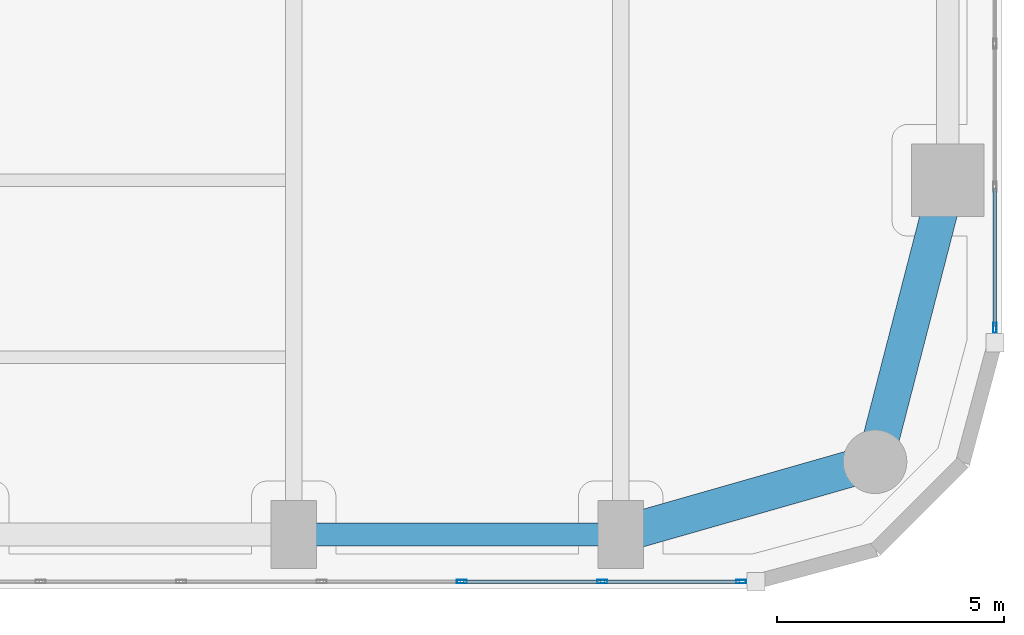
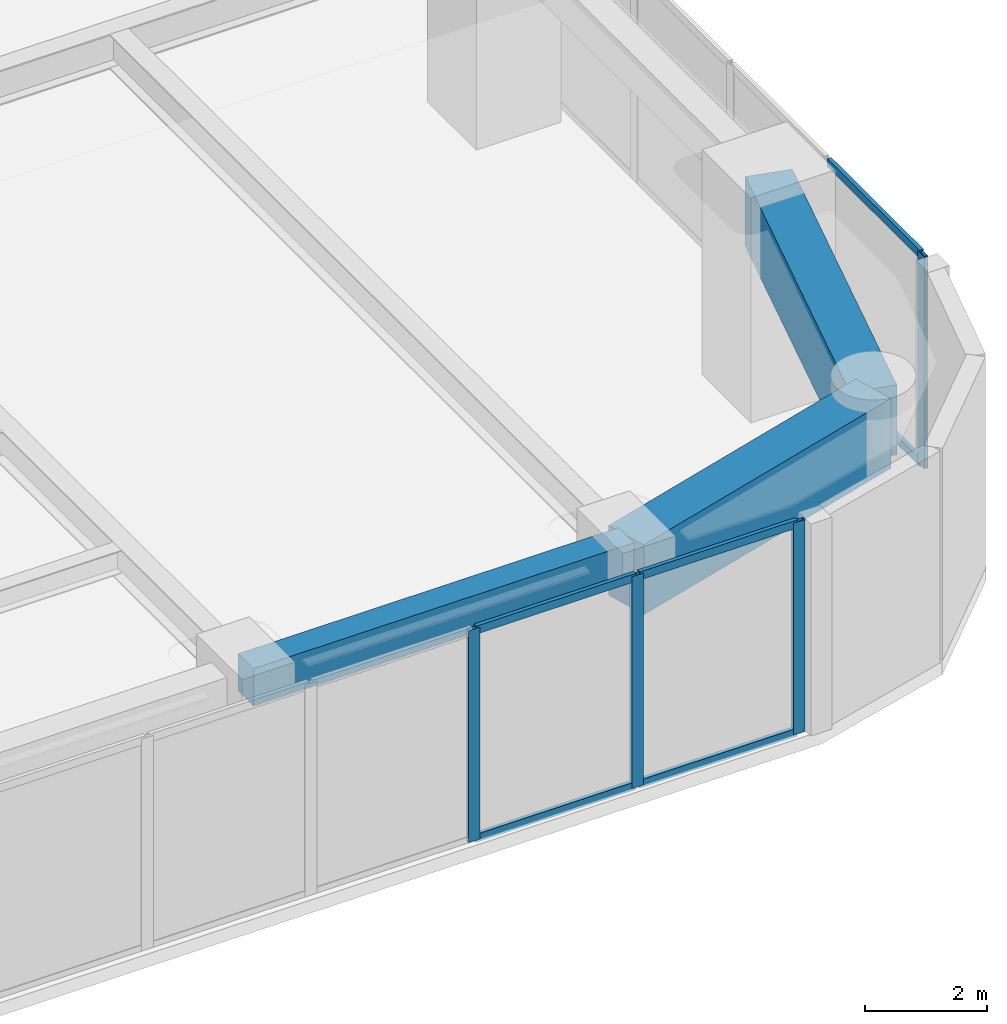
# One storey, part 6 of 25: 10 members, 3 beams, 2 elements without a shape of their own.
"""IFC4 building model written with IfcOpenShell, lengths in metres."""

from ifc_helpers import new_model, si_unit, direction, frame, origin, origin_2d, place, context, subcontext, project, spatial, rectangle, hollow_rectangle, extrude, material, layer, layer_set, material_profile, profile_set, type_object, element, aggregate, save


model = new_model("IFC4")

# Units and contexts
model_context = context("Model", 3, precision=1e-05, world=origin(), true_north=direction((0.0, 1.0)))
body_context = subcontext(model_context, "Body", "Model", "MODEL_VIEW")
ifc_project = project(units=[si_unit("LENGTHUNIT", "METRE"), si_unit("AREAUNIT", "SQUARE_METRE"), si_unit("VOLUMEUNIT", "CUBIC_METRE"), si_unit("PLANEANGLEUNIT", "RADIAN"), si_unit("MASSUNIT", "GRAM", prefix="KILO")], contexts=[model_context])

# Site, building, storey
site_placement = place(None, origin())
site = spatial("IfcSite", under=ifc_project, at=site_placement, CompositionType="ELEMENT")
building_placement = place(site_placement, origin())
building = spatial("IfcBuilding", under=site, at=building_placement, Name="Kiyonajd Concourse Tower", CompositionType="ELEMENT")
storey_placement = place(building_placement, frame((0.0, 0.0, 68.39990234375)))
storey = spatial("IfcBuildingStorey", under=building, at=storey_placement, Name="L18", CompositionType="ELEMENT", Elevation=68.39990234375)

# Beams
ifc_material_1 = material(Name="Precast concrete C50/60", Category="concrete")
ifc_material_profile_1 = material_profile(ifc_material_1, rectangle(XDim=0.5, YDim=0.75, at=origin_2d()), Name="RCBM-500x750")
ifc_profile_set_1 = profile_set([ifc_material_profile_1], Name="Precast concrete C50/60")
beam_type_1 = type_object("IfcBeamType", Name="BM-SPAN-RC", PredefinedType="SPANDREL", material=ifc_profile_set_1)
beam_1_placement = place(storey_placement, frame((63.60009765625, 10.800048828125, 3.864990234375), z_axis=(1.0, 0.0, 0.0), x_axis=(0.0, 1.0, 0.0)))
element("IfcBeam", 1, at=beam_1_placement, inside=storey, type_object=beam_type_1, Name="L18 Perimeter Bundled Tube Spandrel", PredefinedType="SPANDREL", context=body_context, shape_type="SweptSolid", body=[
    extrude(rectangle(XDim=0.5, YDim=0.75, at=origin_2d()), origin(), (0.0, 0.0, 1.0), 7.199951171875),
])
ifc_material_2 = material(Name="Concrete C60/75", Category="concrete")
ifc_material_profile_2 = material_profile(ifc_material_2, rectangle(XDim=0.800048828125, YDim=1.39990234375, at=origin_2d()), Name="RCBM-800x1400")
ifc_profile_set_2 = profile_set([ifc_material_profile_2], Name="Concrete C60/75")
beam_type_2 = type_object("IfcBeamType", Name="BM-XFER-RC", PredefinedType="BEAM", material=ifc_profile_set_2)
beam_2_placement = place(storey_placement, frame((70.800048828125, 10.800048828125, 3.5400390625), z_axis=(0.961528693205, 0.274704517878, 0.0), x_axis=(-0.274704517878, 0.961528693205, 0.0)))
element("IfcBeam", 2, at=beam_2_placement, inside=storey, type_object=beam_type_2, Name="L18 Perimeter Bundled Tube Spandrel", PredefinedType="BEAM", context=body_context, shape_type="SweptSolid", body=[
    extrude(rectangle(XDim=0.800048828125, YDim=1.39990234375, at=origin_2d()), origin(), (0.0, 0.0, 1.0), 5.823974609375),
])
beam_3_placement = place(storey_placement, frame((76.39990234375, 12.39990234375, 3.5400390625), z_axis=(0.249884937687, 0.968275538221, 0.0), x_axis=(-0.968275538221, 0.249884937687, 0.0)))
element("IfcBeam", 3, at=beam_3_placement, inside=storey, type_object=beam_type_2, Name="L18 Perimeter Bundled Tube Spandrel", PredefinedType="BEAM", context=body_context, shape_type="SweptSolid", body=[
    extrude(rectangle(XDim=0.800048828125, YDim=1.39990234375, at=origin_2d()), origin(), (0.0, 0.0, 1.0), 6.4033203125),
])

# Curtain wall, member
ifc_material_3 = material(Name="Thermally Broken Anodised Aluminium", Category="aluminium")
ifc_layer = layer(ifc_material_3, 0.179931640625)
ifc_layer_set = layer_set([ifc_layer], Name="Thermally Broken Anodised Aluminium")
curtain_wall_type = type_object("IfcCurtainWallType", Name="CW-SYS-05", PredefinedType="NOTDEFINED", material=ifc_layer_set)
curtain_wall_1_placement = place(storey_placement, origin())
curtain_wall_1 = element("IfcCurtainWall", 4, at=curtain_wall_1_placement, inside=storey, type_object=curtain_wall_type, Name="L18 Unitised Curtain Wall CW5", PredefinedType="NOTDEFINED")
ifc_material_profile_3 = material_profile(ifc_material_3, hollow_rectangle(XDim=0.074951171875, YDim=0.219970703125, WallThickness=0.0048828125, at=origin_2d()), Name="MULL-75x220")
ifc_profile_set_3 = profile_set([ifc_material_profile_3], Name="Thermally Broken Anodised Aluminium")
member_type_1 = type_object("IfcMemberType", Name="MB-CW-MULL2", PredefinedType="MULLION", material=ifc_profile_set_3)
member_1_placement = place(storey_placement, frame((79.0400390625, 15.3486328125, 0.0), z_axis=(0.0, 0.0, 1.0), x_axis=(1.0, 0.0, 0.0)))
member_1 = element("IfcMember", 5, at=member_1_placement, type_object=member_type_1, Name="CW5 mullion 8", PredefinedType="MULLION", context=body_context, shape_type="SweptSolid", body=[
    extrude(hollow_rectangle(XDim=0.074951171875, YDim=0.219970703125, WallThickness=0.0048828125, at=origin_2d()), origin(), (0.0, 0.0, 1.0), 4.239990234375),
])

# Curtain wall, members
curtain_wall_2_placement = place(storey_placement, origin())
curtain_wall_2 = element("IfcCurtainWall", 6, at=curtain_wall_2_placement, inside=storey, type_object=curtain_wall_type, Name="L18 Unitised Curtain Wall CW5", PredefinedType="NOTDEFINED")
member_2_placement = place(storey_placement, frame((73.451416015625, 9.760009765625, 0.0), z_axis=(0.0, 0.0, 1.0), x_axis=(0.0, -1.0, 0.0)))
member_2 = element("IfcMember", 7, at=member_2_placement, type_object=member_type_1, Name="CW5 mullion 1", PredefinedType="MULLION", context=body_context, shape_type="SweptSolid", body=[
    extrude(hollow_rectangle(XDim=0.074951171875, YDim=0.219970703125, WallThickness=0.0048828125, at=origin_2d()), origin(), (0.0, 0.0, 1.0), 4.239990234375),
])
member_3_placement = place(storey_placement, frame((70.396728515625, 9.760009765625, 0.0), z_axis=(0.0, 0.0, 1.0), x_axis=(0.0, -1.0, 0.0)))
member_3 = element("IfcMember", 8, at=member_3_placement, type_object=member_type_1, Name="CW5 mullion 2", PredefinedType="MULLION", context=body_context, shape_type="SweptSolid", body=[
    extrude(hollow_rectangle(XDim=0.074951171875, YDim=0.219970703125, WallThickness=0.0048828125, at=origin_2d()), origin(), (0.0, 0.0, 1.0), 4.239990234375),
])
member_4_placement = place(storey_placement, frame((67.304443359375, 9.760009765625, 0.0), z_axis=(0.0, 0.0, 1.0), x_axis=(0.0, -1.0, 0.0)))
member_4 = element("IfcMember", 9, at=member_4_placement, type_object=member_type_1, Name="CW5 mullion 3", PredefinedType="MULLION", context=body_context, shape_type="SweptSolid", body=[
    extrude(hollow_rectangle(XDim=0.074951171875, YDim=0.219970703125, WallThickness=0.0048828125, at=origin_2d()), origin(), (0.0, 0.0, 1.0), 4.239990234375),
])

# Member
ifc_material_profile_4 = material_profile(ifc_material_3, hollow_rectangle(XDim=0.074951171875, YDim=0.159912109375, WallThickness=0.0048828125, at=origin_2d()), Name="TRAN-75x160")
ifc_profile_set_4 = profile_set([ifc_material_profile_4], Name="Thermally Broken Anodised Aluminium")
member_type_2 = type_object("IfcMemberType", Name="MB-CW-TRAN2", PredefinedType="USERDEFINED", material=ifc_profile_set_4)
member_5_placement = place(storey_placement, frame((79.0400390625, 18.422119140625, 0.03759765625), z_axis=(0.0, -1.0, 0.0), x_axis=(1.0, 0.0, 0.0)))
member_5 = element("IfcMember", 10, at=member_5_placement, type_object=member_type_2, Name="CW5 transom 7.1", ObjectType="TRANSOM", PredefinedType="USERDEFINED", context=body_context, shape_type="SweptSolid", body=[
    extrude(hollow_rectangle(XDim=0.074951171875, YDim=0.159912109375, WallThickness=0.0048828125, at=origin_2d()), origin(), (0.0, 0.0, 1.0), 3.0361328125),
])

member_6_placement = place(storey_placement, frame((79.0400390625, 18.422119140625, 4.20263671875), z_axis=(0.0, -1.0, 0.0), x_axis=(1.0, 0.0, 0.0)))
member_6 = element("IfcMember", 11, at=member_6_placement, type_object=member_type_2, Name="CW5 transom 7.2", ObjectType="TRANSOM", PredefinedType="USERDEFINED", context=body_context, shape_type="SweptSolid", body=[
    extrude(hollow_rectangle(XDim=0.074951171875, YDim=0.159912109375, WallThickness=0.0048828125, at=origin_2d()), origin(), (0.0, 0.0, 1.0), 3.0361328125),
])

aggregate(curtain_wall_1, [member_1, member_5, member_6])

member_7_placement = place(storey_placement, frame((73.413818359375, 9.760009765625, 0.03759765625), z_axis=(-1.0, 0.0, 0.0), x_axis=(0.0, -1.0, 0.0)))
member_7 = element("IfcMember", 12, at=member_7_placement, type_object=member_type_2, Name="CW5 transom 1.1", ObjectType="TRANSOM", PredefinedType="USERDEFINED", context=body_context, shape_type="SweptSolid", body=[
    extrude(hollow_rectangle(XDim=0.074951171875, YDim=0.159912109375, WallThickness=0.0048828125, at=origin_2d()), origin(), (0.0, 0.0, 1.0), 2.979736328125),
])

member_8_placement = place(storey_placement, frame((73.413818359375, 9.760009765625, 4.20263671875), z_axis=(-1.0, 0.0, 0.0), x_axis=(0.0, -1.0, 0.0)))
member_8 = element("IfcMember", 13, at=member_8_placement, type_object=member_type_2, Name="CW5 transom 1.2", ObjectType="TRANSOM", PredefinedType="USERDEFINED", context=body_context, shape_type="SweptSolid", body=[
    extrude(hollow_rectangle(XDim=0.074951171875, YDim=0.159912109375, WallThickness=0.0048828125, at=origin_2d()), origin(), (0.0, 0.0, 1.0), 2.979736328125),
])

member_9_placement = place(storey_placement, frame((70.359130859375, 9.760009765625, 0.03759765625), z_axis=(-1.0, 0.0, 0.0), x_axis=(0.0, -1.0, 0.0)))
member_9 = element("IfcMember", 14, at=member_9_placement, type_object=member_type_2, Name="CW5 transom 2.1", ObjectType="TRANSOM", PredefinedType="USERDEFINED", context=body_context, shape_type="SweptSolid", body=[
    extrude(hollow_rectangle(XDim=0.074951171875, YDim=0.159912109375, WallThickness=0.0048828125, at=origin_2d()), origin(), (0.0, 0.0, 1.0), 3.017333984375),
])

member_10_placement = place(storey_placement, frame((70.359130859375, 9.760009765625, 4.20263671875), z_axis=(-1.0, 0.0, 0.0), x_axis=(0.0, -1.0, 0.0)))
member_10 = element("IfcMember", 15, at=member_10_placement, type_object=member_type_2, Name="CW5 transom 2.2", ObjectType="TRANSOM", PredefinedType="USERDEFINED", context=body_context, shape_type="SweptSolid", body=[
    extrude(hollow_rectangle(XDim=0.074951171875, YDim=0.159912109375, WallThickness=0.0048828125, at=origin_2d()), origin(), (0.0, 0.0, 1.0), 3.017333984375),
])

aggregate(curtain_wall_2, [member_2, member_3, member_4, member_7, member_8, member_9, member_10])

save(model, "model.ifc")
